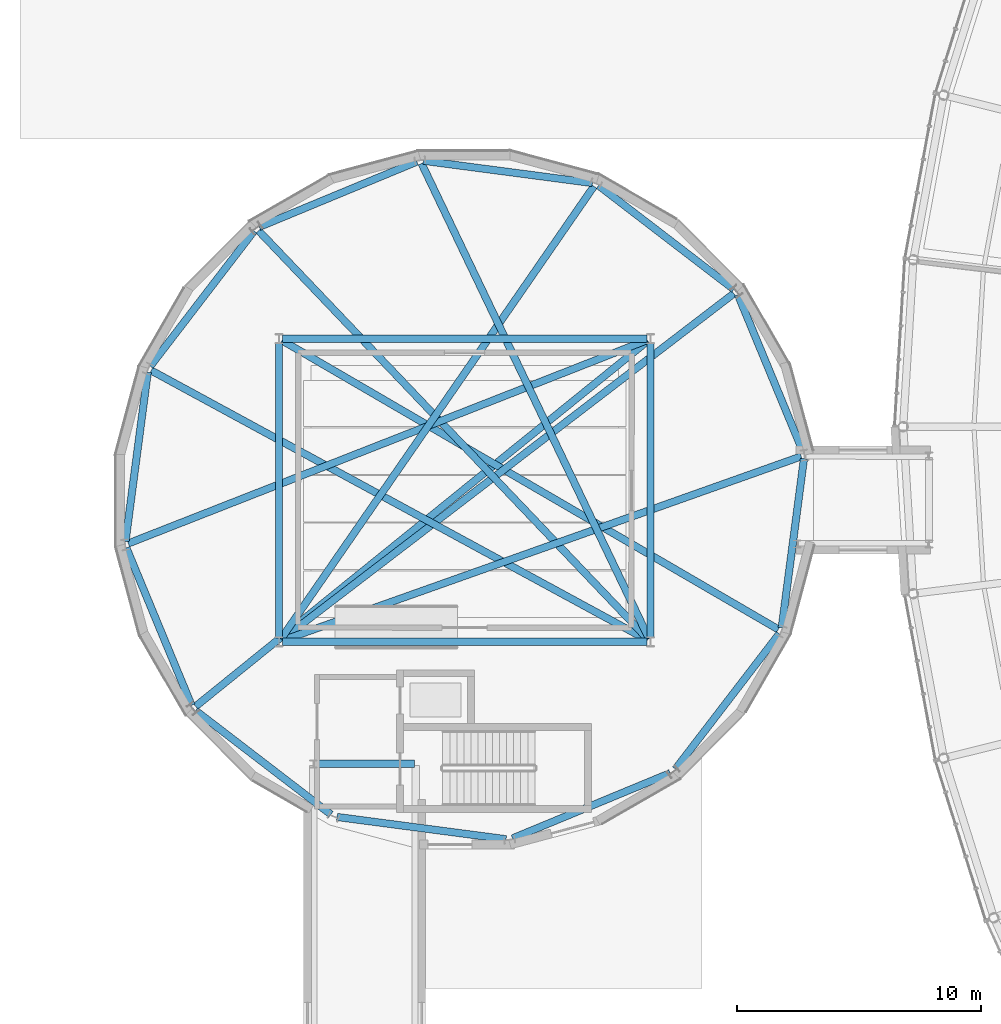
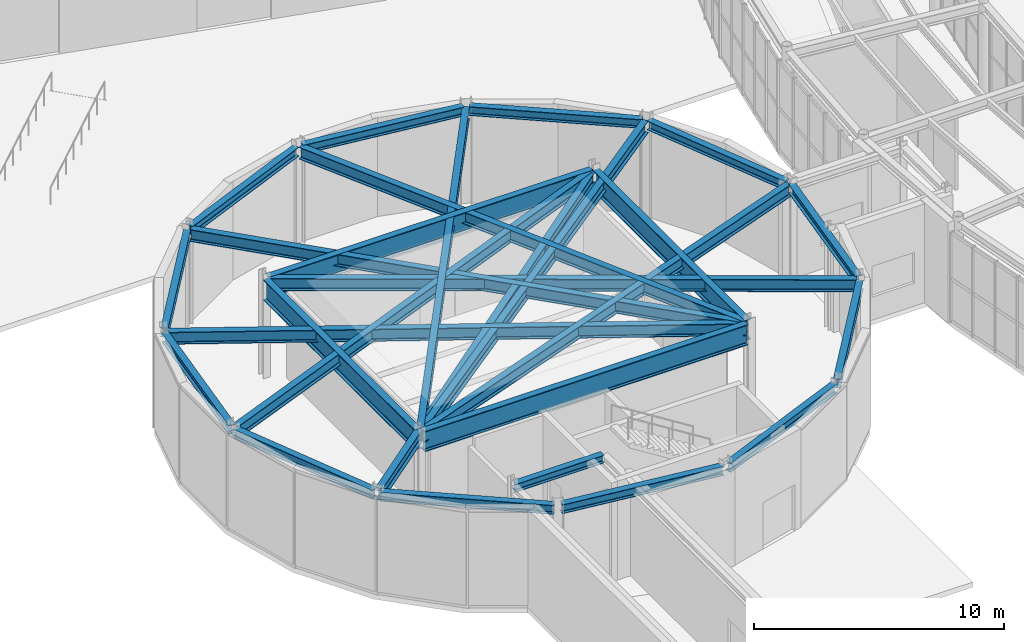
# One storey, part 21 of 97: 26 beams.
"""IFC4 building model written with IfcOpenShell, lengths in metres."""

from ifc_helpers import new_model, si_unit, direction, frame, origin, origin_2d, place, context, subcontext, project, spatial, i_section, extrude, material, material_profile, profile_set, type_object, element, save


model = new_model("IFC4")

# Units and contexts
model_context = context("Model", 3, precision=1e-05, world=origin(), true_north=direction((0.0, 1.0)))
body_context = subcontext(model_context, "Body", "Model", "MODEL_VIEW")
ifc_project = project(units=[si_unit("LENGTHUNIT", "METRE"), si_unit("AREAUNIT", "SQUARE_METRE"), si_unit("VOLUMEUNIT", "CUBIC_METRE"), si_unit("PLANEANGLEUNIT", "RADIAN"), si_unit("MASSUNIT", "GRAM", prefix="KILO")], contexts=[model_context])

# Site, building, storey
site_placement = place(None, origin())
site = spatial("IfcSite", under=ifc_project, at=site_placement, CompositionType="ELEMENT")
building_placement = place(site_placement, origin())
building = spatial("IfcBuilding", under=site, at=building_placement, Name="Varnklinge Art Gallery", CompositionType="ELEMENT")
storey_placement = place(building_placement, origin())
storey = spatial("IfcBuildingStorey", under=building, at=storey_placement, Name="L00", CompositionType="ELEMENT", Elevation=0.0)

# Beams
ifc_material_1 = material(Name="Steel S355", Category="steel")
ifc_material_profile_1 = material_profile(ifc_material_1, i_section(OverallWidth=0.300048828125, OverallDepth=1.0, WebThickness=0.01904296875, FlangeThickness=0.035888671875, FilletRadius=0.030029296875, at=origin_2d()), Name="HEB 1000")
ifc_profile_set_1 = profile_set([ifc_material_profile_1], Name="Steel S355")
beam_type_1 = type_object("IfcBeamType", Name="BM-01", PredefinedType="BEAM", material=ifc_profile_set_1)
beam_1_placement = place(storey_placement, frame((14.35009765625, 46.199951171875, 4.320068359375), z_axis=(1.0, 0.0, 0.0), x_axis=(0.0, 1.0, 0.0)))
element("IfcBeam", 1, at=beam_1_placement, inside=storey, type_object=beam_type_1, Name="L00 BM-01 BM-V3-L01-B1", PredefinedType="BEAM", context=body_context, shape_type="SweptSolid", body=[
    extrude(i_section(OverallWidth=0.300048828125, OverallDepth=1.0, WebThickness=0.01904296875, FlangeThickness=0.035888671875, FilletRadius=0.030029296875, at=origin_2d()), origin(), (0.0, 0.0, 1.0), 14.89990234375),
])
beam_2_placement = place(storey_placement, frame((29.39990234375, 46.35009765625, 4.320068359375), z_axis=(0.0, 1.0, 0.0), x_axis=(-1.0, 0.0, 0.0)))
element("IfcBeam", 2, at=beam_2_placement, inside=storey, type_object=beam_type_1, Name="L00 BM-01 BM-V3-L01-B2", PredefinedType="BEAM", context=body_context, shape_type="SweptSolid", body=[
    extrude(i_section(OverallWidth=0.300048828125, OverallDepth=1.0, WebThickness=0.01904296875, FlangeThickness=0.035888671875, FilletRadius=0.030029296875, at=origin_2d()), origin(), (0.0, 0.0, 1.0), 12.099853515625),
])
beam_3_placement = place(storey_placement, frame((29.25, 58.60009765625, 4.320068359375), z_axis=(-1.0, 0.0, 0.0), x_axis=(0.0, -1.0, 0.0)))
element("IfcBeam", 3, at=beam_3_placement, inside=storey, type_object=beam_type_1, Name="L00 BM-01 BM-V3-L01-B3", PredefinedType="BEAM", context=body_context, shape_type="SweptSolid", body=[
    extrude(i_section(OverallWidth=0.300048828125, OverallDepth=1.0, WebThickness=0.01904296875, FlangeThickness=0.035888671875, FilletRadius=0.030029296875, at=origin_2d()), origin(), (0.0, 0.0, 1.0), 14.89990234375),
])
beam_4_placement = place(storey_placement, frame((14.199951171875, 58.449951171875, 4.320068359375), z_axis=(0.0, -1.0, 0.0), x_axis=(1.0, 0.0, 0.0)))
element("IfcBeam", 4, at=beam_4_placement, inside=storey, type_object=beam_type_1, Name="L00 BM-01 BM-V3-L01-B4", PredefinedType="BEAM", context=body_context, shape_type="SweptSolid", body=[
    extrude(i_section(OverallWidth=0.300048828125, OverallDepth=1.0, WebThickness=0.01904296875, FlangeThickness=0.035888671875, FilletRadius=0.030029296875, at=origin_2d()), origin(), (0.0, 0.0, 1.0), 12.099853515625),
])
ifc_material_2 = material(Name="Steel S355", Category="steel")
ifc_material_profile_2 = material_profile(ifc_material_2, i_section(OverallWidth=0.300048828125, OverallDepth=0.590087890625, WebThickness=0.012939453125, FlangeThickness=0.02490234375, FilletRadius=0.027099609375, at=origin_2d()), Name="HEA 600")
ifc_profile_set_2 = profile_set([ifc_material_profile_2], Name="Steel S355")
beam_type_2 = type_object("IfcBeamType", Name="BM-06", PredefinedType="BEAM", material=ifc_profile_set_2)
beam_5_placement = place(storey_placement, frame((14.331787109375, 46.246826171875, 4.52490234375), z_axis=(0.942415078028, 0.334445542211, 0.0), x_axis=(-0.334445542211, 0.942415078028, 0.0)))
element("IfcBeam", 5, at=beam_5_placement, inside=storey, type_object=beam_type_2, Name="L00 BM-06 BM-V3-L01-R01", PredefinedType="BEAM", context=body_context, shape_type="SweptSolid", body=[
    extrude(i_section(OverallWidth=0.300048828125, OverallDepth=0.590087890625, WebThickness=0.012939453125, FlangeThickness=0.02490234375, FilletRadius=0.027099609375, at=origin_2d()), origin(), (0.0, 0.0, 1.0), 22.533935546875),
])
beam_6_placement = place(storey_placement, frame((14.311279296875, 46.28515625, 4.52490234375), z_axis=(0.793999311532, 0.607918656801, 0.0), x_axis=(-0.607918656801, 0.793999311532, 0.0)))
element("IfcBeam", 6, at=beam_6_placement, inside=storey, type_object=beam_type_2, Name="L00 BM-06 BM-V3-L01-R02", PredefinedType="BEAM", context=body_context, shape_type="SweptSolid", body=[
    extrude(i_section(OverallWidth=0.300048828125, OverallDepth=0.590087890625, WebThickness=0.012939453125, FlangeThickness=0.02490234375, FilletRadius=0.027099609375, at=origin_2d()), origin(), (0.0, 0.0, 1.0), 23.300048828125),
])
beam_7_placement = place(storey_placement, frame((14.279541015625, 46.315185546875, 4.52490234375), z_axis=(0.568696833089, 0.822547209608, 0.0), x_axis=(-0.822547209608, 0.568696833089, 0.0)))
element("IfcBeam", 7, at=beam_7_placement, inside=storey, type_object=beam_type_2, Name="L00 BM-06 BM-V3-L01-R03", PredefinedType="BEAM", context=body_context, shape_type="SweptSolid", body=[
    extrude(i_section(OverallWidth=0.300048828125, OverallDepth=0.590087890625, WebThickness=0.012939453125, FlangeThickness=0.02490234375, FilletRadius=0.027099609375, at=origin_2d()), origin(), (0.0, 0.0, 1.0), 22.518310546875),
])
beam_8_placement = place(storey_placement, frame((29.339599609375, 46.326416015625, 4.52490234375), z_axis=(-0.431765596733, 0.901985847715, 0.0), x_axis=(-0.901985847715, -0.431765596733, 0.0)))
element("IfcBeam", 8, at=beam_8_placement, inside=storey, type_object=beam_type_2, Name="L00 BM-06 BM-V3-L01-R04", PredefinedType="BEAM", context=body_context, shape_type="SweptSolid", body=[
    extrude(i_section(OverallWidth=0.300048828125, OverallDepth=0.590087890625, WebThickness=0.012939453125, FlangeThickness=0.02490234375, FilletRadius=0.027099609375, at=origin_2d()), origin(), (0.0, 0.0, 1.0), 21.560546875),
])
beam_9_placement = place(storey_placement, frame((29.303466796875, 46.30126953125, 4.52490234375), z_axis=(-0.690055379945, 0.723756569994, 0.0), x_axis=(-0.723756569994, -0.690055379945, 0.0)))
element("IfcBeam", 9, at=beam_9_placement, inside=storey, type_object=beam_type_2, Name="L00 BM-06 BM-V3-L01-R05", PredefinedType="BEAM", context=body_context, shape_type="SweptSolid", body=[
    extrude(i_section(OverallWidth=0.300048828125, OverallDepth=0.590087890625, WebThickness=0.012939453125, FlangeThickness=0.02490234375, FilletRadius=0.027099609375, at=origin_2d()), origin(), (0.0, 0.0, 1.0), 23.10205078125),
])
beam_10_placement = place(storey_placement, frame((29.277099609375, 46.266845703125, 4.52490234375), z_axis=(-0.878712659492, 0.477351088873, 0.0), x_axis=(-0.477351088873, -0.878712659492, 0.0)))
element("IfcBeam", 10, at=beam_10_placement, inside=storey, type_object=beam_type_2, Name="L00 BM-06 BM-V3-L01-R06", PredefinedType="BEAM", context=body_context, shape_type="SweptSolid", body=[
    extrude(i_section(OverallWidth=0.300048828125, OverallDepth=0.590087890625, WebThickness=0.012939453125, FlangeThickness=0.02490234375, FilletRadius=0.027099609375, at=origin_2d()), origin(), (0.0, 0.0, 1.0), 23.10986328125),
])
beam_11_placement = place(storey_placement, frame((29.269775390625, 58.548828125, 4.52490234375), z_axis=(-0.930996731965, -0.365027512757, 0.0), x_axis=(0.365027512757, -0.930996731965, 0.0)))
element("IfcBeam", 11, at=beam_11_placement, inside=storey, type_object=beam_type_2, Name="L00 BM-06 BM-V3-L01-R07", PredefinedType="BEAM", context=body_context, shape_type="SweptSolid", body=[
    extrude(i_section(OverallWidth=0.300048828125, OverallDepth=0.590087890625, WebThickness=0.012939453125, FlangeThickness=0.02490234375, FilletRadius=0.027099609375, at=origin_2d()), origin(), (0.0, 0.0, 1.0), 22.813720703125),
])
beam_12_placement = place(storey_placement, frame((29.291015625, 58.511962890625, 4.52490234375), z_axis=(-0.777684563624, -0.628654690192, 0.0), x_axis=(0.628654690192, -0.777684563624, 0.0)))
element("IfcBeam", 12, at=beam_12_placement, inside=storey, type_object=beam_type_2, Name="L00 BM-06 BM-V3-L01-R08", PredefinedType="BEAM", context=body_context, shape_type="SweptSolid", body=[
    extrude(i_section(OverallWidth=0.300048828125, OverallDepth=0.590087890625, WebThickness=0.012939453125, FlangeThickness=0.02490234375, FilletRadius=0.027099609375, at=origin_2d()), origin(), (0.0, 0.0, 1.0), 23.794921875),
])
beam_13_placement = place(storey_placement, frame((14.321044921875, 58.529541015625, 4.52490234375), z_axis=(0.864213746904, -0.503124835068, 0.0), x_axis=(0.503124835068, 0.864213746904, 0.0)))
element("IfcBeam", 13, at=beam_13_placement, inside=storey, type_object=beam_type_2, Name="L00 BM-06 BM-V3-L01-R12", PredefinedType="BEAM", context=body_context, shape_type="SweptSolid", body=[
    extrude(i_section(OverallWidth=0.300048828125, OverallDepth=0.590087890625, WebThickness=0.012939453125, FlangeThickness=0.02490234375, FilletRadius=0.027099609375, at=origin_2d()), origin(), (0.0, 0.0, 1.0), 23.501953125),
])
ifc_material_3 = material(Name="Steel S355", Category="steel")
ifc_material_profile_3 = material_profile(ifc_material_3, i_section(OverallWidth=0.300048828125, OverallDepth=0.389892578125, WebThickness=0.010986328125, FlangeThickness=0.01904296875, FilletRadius=0.027099609375, at=origin_2d()), Name="HEA 400")
ifc_profile_set_3 = profile_set([ifc_material_profile_3], Name="Steel S355")
beam_type_3 = type_object("IfcBeamType", Name="BM-09", PredefinedType="BEAM", material=ifc_profile_set_3)
beam_14_placement = place(storey_placement, frame((19.739990234375, 41.199951171875, 4.625), z_axis=(-1.0, 0.0, 0.0), x_axis=(0.0, -1.0, 0.0)))
element("IfcBeam", 14, at=beam_14_placement, inside=storey, type_object=beam_type_3, Name="L00 BM-09 BM-LNK-SW-L01-3", PredefinedType="BEAM", context=body_context, shape_type="SweptSolid", body=[
    extrude(i_section(OverallWidth=0.300048828125, OverallDepth=0.389892578125, WebThickness=0.010986328125, FlangeThickness=0.01904296875, FilletRadius=0.027099609375, at=origin_2d()), origin(), (0.0, 0.0, 1.0), 4.080078125),
])
ifc_material_4 = material(Name="Steel S355", Category="steel")
ifc_material_profile_4 = material_profile(ifc_material_4, i_section(OverallWidth=0.300048828125, OverallDepth=0.43994140625, WebThickness=0.011474609375, FlangeThickness=0.02099609375, FilletRadius=0.027099609375, at=origin_2d()), Name="HEA 450")
ifc_profile_set_4 = profile_set([ifc_material_profile_4], Name="Steel S355")
beam_type_4 = type_object("IfcBeamType", Name="SPB-02", PredefinedType="SPANDREL", material=ifc_profile_set_4)
beam_15_placement = place(storey_placement, frame((35.646484375, 53.959228515625, 4.60009765625), z_axis=(-0.382686571243, 0.923878232339, 0.0), x_axis=(-0.923878232339, -0.382686571243, 0.0)))
element("IfcBeam", 15, at=beam_15_placement, inside=storey, type_object=beam_type_4, Name="L00 SPB-02 BM-V3-L01-P01", PredefinedType="SPANDREL", context=body_context, shape_type="SweptSolid", body=[
    extrude(i_section(OverallWidth=0.300048828125, OverallDepth=0.43994140625, WebThickness=0.011474609375, FlangeThickness=0.02099609375, FilletRadius=0.027099609375, at=origin_2d()), origin(), (0.0, 0.0, 1.0), 6.9775390625),
])
beam_16_placement = place(storey_placement, frame((32.811767578125, 60.6201171875, 4.60009765625), z_axis=(-0.793346661628, 0.608770132713, 0.0), x_axis=(-0.608770132713, -0.793346661628, 0.0)))
element("IfcBeam", 16, at=beam_16_placement, inside=storey, type_object=beam_type_4, Name="L00 SPB-02 BM-V3-L01-P02", PredefinedType="SPANDREL", context=body_context, shape_type="SweptSolid", body=[
    extrude(i_section(OverallWidth=0.300048828125, OverallDepth=0.43994140625, WebThickness=0.011474609375, FlangeThickness=0.02099609375, FilletRadius=0.027099609375, at=origin_2d()), origin(), (0.0, 0.0, 1.0), 6.977294921875),
])
beam_17_placement = place(storey_placement, frame((27.0263671875, 64.97119140625, 4.60009765625), z_axis=(-0.991445956564, 0.130517873155, 0.0), x_axis=(-0.130517873155, -0.991445956564, 0.0)))
element("IfcBeam", 17, at=beam_17_placement, inside=storey, type_object=beam_type_4, Name="L00 SPB-02 BM-V3-L01-P03", PredefinedType="SPANDREL", context=body_context, shape_type="SweptSolid", body=[
    extrude(i_section(OverallWidth=0.300048828125, OverallDepth=0.43994140625, WebThickness=0.011474609375, FlangeThickness=0.02099609375, FilletRadius=0.027099609375, at=origin_2d()), origin(), (0.0, 0.0, 1.0), 6.97705078125),
])
for number, where, z_axis, x_axis, name in (
    (18, (19.8408203125, 65.846435546875, 4.60009765625), (-0.92389060297, -0.38265670482, 0.0), (0.38265670482, -0.92389060297, 0.0), "L00 SPB-02 BM-V3-L01-P04"),
    (19, (13.179931640625, 63.01171875, 4.60009765625), (-0.608770132713, -0.793346661628, 0.0), (0.793346661628, -0.608770132713, 0.0), "L00 SPB-02 BM-V3-L01-P05"),
):
    element("IfcBeam", number, at=place(storey_placement, frame(where, z_axis=z_axis, x_axis=x_axis)), inside=storey, type_object=beam_type_4, Name=name, PredefinedType="SPANDREL", context=body_context, shape_type="SweptSolid", body=[
        extrude(i_section(OverallWidth=0.300048828125, OverallDepth=0.43994140625, WebThickness=0.011474609375, FlangeThickness=0.02099609375, FilletRadius=0.027099609375, at=origin_2d()), origin(), (0.0, 0.0, 1.0), 6.977294921875),
    ])
beam_18_placement = place(storey_placement, frame((8.828857421875, 57.226318359375, 4.60009765625), z_axis=(-0.130517873155, -0.991445956564, 0.0), x_axis=(0.991445956564, -0.130517873155, 0.0)))
element("IfcBeam", 20, at=beam_18_placement, inside=storey, type_object=beam_type_4, Name="L00 SPB-02 BM-V3-L01-P06", PredefinedType="SPANDREL", context=body_context, shape_type="SweptSolid", body=[
    extrude(i_section(OverallWidth=0.300048828125, OverallDepth=0.43994140625, WebThickness=0.011474609375, FlangeThickness=0.02099609375, FilletRadius=0.027099609375, at=origin_2d()), origin(), (0.0, 0.0, 1.0), 6.97705078125),
])
for number, where, z_axis, x_axis, name in (
    (21, (7.95361328125, 50.040771484375, 4.60009765625), (0.38265670482, -0.92389060297, 0.0), (0.92389060297, 0.38265670482, 0.0), "L00 SPB-02 BM-V3-L01-P07"),
    (22, (10.788330078125, 43.3798828125, 4.60009765625), (0.793346661628, -0.608770132713, 0.0), (0.608770132713, 0.793346661628, 0.0), "L00 SPB-02 BM-V3-L01-P08"),
    (23, (16.573486328125, 39.02880859375, 4.60009765625), (0.991446552608, -0.130513345376, 0.0), (0.130513345376, 0.991446552608, 0.0), "L00 SPB-02 BM-V3-L01-P09"),
    (24, (23.75927734375, 38.153564453125, 4.60009765625), (0.92389060297, 0.38265670482, 0.0), (-0.38265670482, 0.92389060297, 0.0), "L00 SPB-02 BM-V3-L01-P10"),
    (25, (30.419921875, 40.98828125, 4.60009765625), (0.608770132713, 0.793346661628, 0.0), (-0.793346661628, 0.608770132713, 0.0), "L00 SPB-02 BM-V3-L01-P11"),
    (26, (34.77099609375, 46.773681640625, 4.60009765625), (0.130552268231, 0.991441428053, 0.0), (-0.991441428053, 0.130552268231, 0.0), "L00 SPB-02 BM-V3-L01-P12"),
):
    element("IfcBeam", number, at=place(storey_placement, frame(where, z_axis=z_axis, x_axis=x_axis)), inside=storey, type_object=beam_type_4, Name=name, PredefinedType="SPANDREL", context=body_context, shape_type="SweptSolid", body=[
        extrude(i_section(OverallWidth=0.300048828125, OverallDepth=0.43994140625, WebThickness=0.011474609375, FlangeThickness=0.02099609375, FilletRadius=0.027099609375, at=origin_2d()), origin(), (0.0, 0.0, 1.0), 6.977294921875),
    ])

save(model, "model.ifc")
